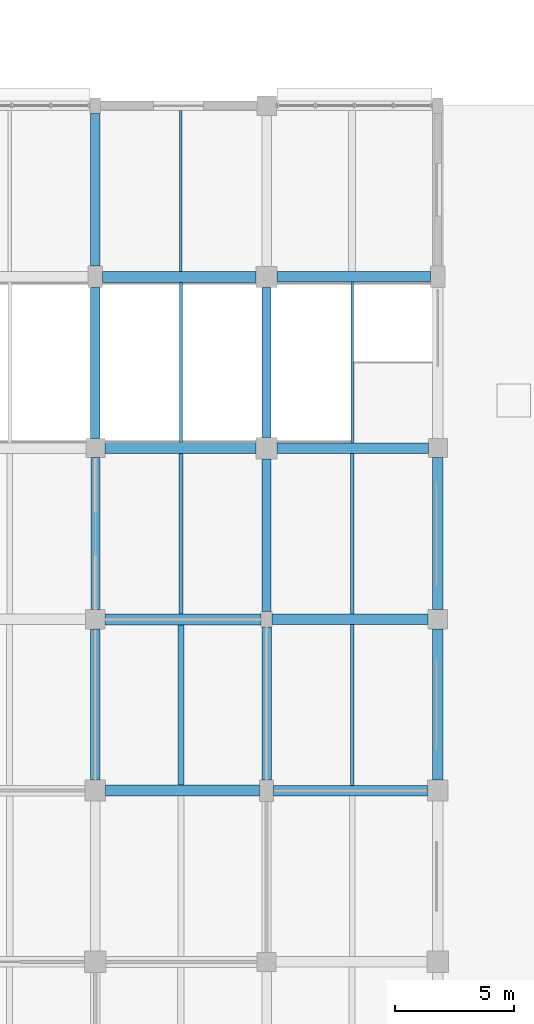
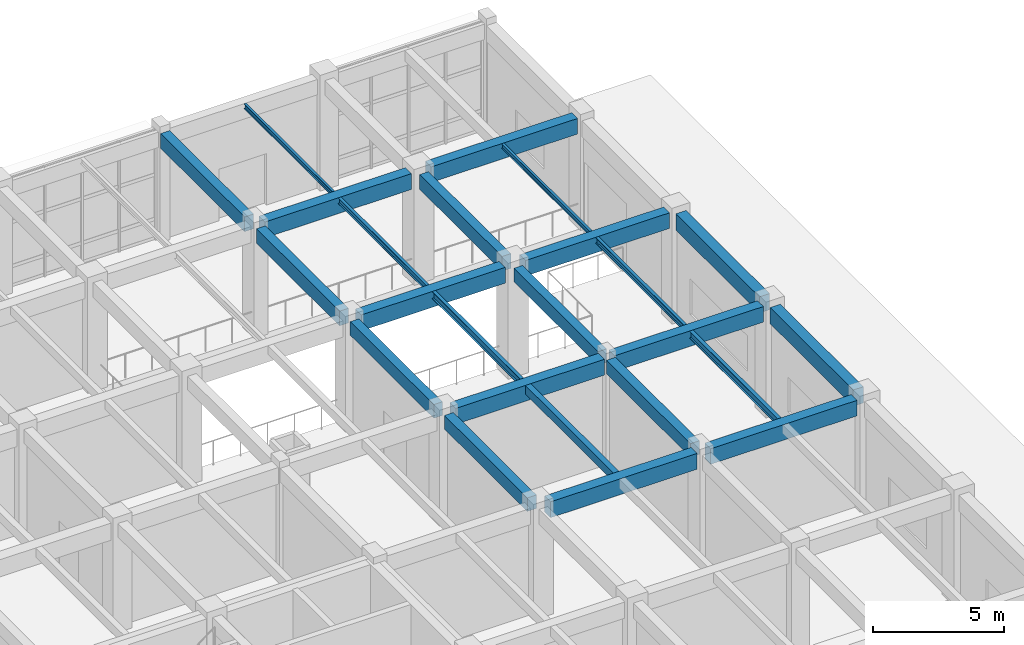
# One storey, part 109 of 160: 24 beams.
"""IFC4 building model written with IfcOpenShell, lengths in metres."""

from ifc_helpers import new_model, si_unit, direction, frame, origin, origin_2d, place, context, subcontext, project, spatial, rectangle, i_section, extrude, material, material_profile, profile_set, type_object, element, save


model = new_model("IFC4")

# Units and contexts
model_context = context("Model", 3, precision=1e-05, world=origin(), true_north=direction((0.0, 1.0)))
body_context = subcontext(model_context, "Body", "Model", "MODEL_VIEW")
ifc_project = project(units=[si_unit("LENGTHUNIT", "METRE"), si_unit("AREAUNIT", "SQUARE_METRE"), si_unit("VOLUMEUNIT", "CUBIC_METRE"), si_unit("PLANEANGLEUNIT", "RADIAN"), si_unit("MASSUNIT", "GRAM", prefix="KILO")], contexts=[model_context])

# Site, building, storey
site_placement = place(None, origin())
site = spatial("IfcSite", under=ifc_project, at=site_placement, CompositionType="ELEMENT")
building_placement = place(site_placement, origin())
building = spatial("IfcBuilding", under=site, at=building_placement, Name="Thalmaran Polytechnic", CompositionType="ELEMENT")
storey_placement = place(building_placement, origin())
storey = spatial("IfcBuildingStorey", under=building, at=storey_placement, Name="L00", CompositionType="ELEMENT", Elevation=0.0)

# Beams
ifc_material_1 = material(Name="Concrete C40/50", Category="concrete")
ifc_material_profile_1 = material_profile(ifc_material_1, rectangle(XDim=0.449951171875, YDim=0.72509765625, at=origin_2d()), Name="RC 450x725")
ifc_profile_set_1 = profile_set([ifc_material_profile_1], Name="Concrete C40/50")
beam_type_1 = type_object("IfcBeamType", Name="BM-RC04", PredefinedType="BEAM", material=ifc_profile_set_1)
beam_1_placement = place(storey_placement, frame((165.89990234375, 93.60009765625, 4.7275390625), z_axis=(1.0, 0.0, 0.0), x_axis=(0.0, 1.0, 0.0)))
element("IfcBeam", 1, at=beam_1_placement, inside=storey, type_object=beam_type_1, Name="Grid Beam B04 L00 X(23,13)", PredefinedType="BEAM", context=body_context, shape_type="SweptSolid", body=[
    extrude(rectangle(XDim=0.449951171875, YDim=0.72509765625, at=origin_2d()), origin(), (0.0, 0.0, 1.0), 6.460205078125),
])
beam_2_placement = place(storey_placement, frame((165.824951171875, 100.800048828125, 4.7275390625), z_axis=(1.0, 0.0, 0.0), x_axis=(0.0, 1.0, 0.0)))
element("IfcBeam", 2, at=beam_2_placement, inside=storey, type_object=beam_type_1, Name="Grid Beam B04 L00 X(23,14)", PredefinedType="BEAM", context=body_context, shape_type="SweptSolid", body=[
    extrude(rectangle(XDim=0.449951171875, YDim=0.72509765625, at=origin_2d()), origin(), (0.0, 0.0, 1.0), 6.56494140625),
])
beam_3_placement = place(storey_placement, frame((166.050048828125, 108.0, 4.7275390625), z_axis=(1.0, 0.0, 0.0), x_axis=(0.0, 1.0, 0.0)))
element("IfcBeam", 3, at=beam_3_placement, inside=storey, type_object=beam_type_1, Name="Grid Beam B04 L00 X(23,15)", PredefinedType="BEAM", context=body_context, shape_type="SweptSolid", body=[
    extrude(rectangle(XDim=0.449951171875, YDim=0.72509765625, at=origin_2d()), origin(), (0.0, 0.0, 1.0), 6.349853515625),
])
beam_4_placement = place(storey_placement, frame((166.0400390625, 115.199951171875, 4.7275390625), z_axis=(1.0, 0.0, 0.0), x_axis=(0.0, 1.0, 0.0)))
element("IfcBeam", 4, at=beam_4_placement, inside=storey, type_object=beam_type_1, Name="Grid Beam B04 L00 X(23,16)", PredefinedType="BEAM", context=body_context, shape_type="SweptSolid", body=[
    extrude(rectangle(XDim=0.449951171875, YDim=0.72509765625, at=origin_2d()), origin(), (0.0, 0.0, 1.0), 6.4599609375),
])
ifc_material_profile_2 = material_profile(ifc_material_1, rectangle(XDim=0.39990234375, YDim=0.6298828125, at=origin_2d()), Name="RC 400x630")
ifc_profile_set_2 = profile_set([ifc_material_profile_2], Name="Concrete C40/50")
beam_type_2 = type_object("IfcBeamType", Name="BM-RC07", PredefinedType="BEAM", material=ifc_profile_set_2)
beam_5_placement = place(storey_placement, frame((158.39990234375, 94.0400390625, 4.77490234375), z_axis=(0.0, 1.0, 0.0), x_axis=(-1.0, 0.0, 0.0)))
element("IfcBeam", 5, at=beam_5_placement, inside=storey, type_object=beam_type_2, Name="Grid Beam B07 L00 Y(22,13)", PredefinedType="BEAM", context=body_context, shape_type="SweptSolid", body=[
    extrude(rectangle(XDim=0.39990234375, YDim=0.6298828125, at=origin_2d()), origin(), (0.0, 0.0, 1.0), 6.349853515625),
])
beam_6_placement = place(storey_placement, frame((165.60009765625, 94.050048828125, 4.77490234375), z_axis=(0.0, 1.0, 0.0), x_axis=(-1.0, 0.0, 0.0)))
element("IfcBeam", 6, at=beam_6_placement, inside=storey, type_object=beam_type_2, Name="Grid Beam B07 L00 Y(23,13)", PredefinedType="BEAM", context=body_context, shape_type="SweptSolid", body=[
    extrude(rectangle(XDim=0.39990234375, YDim=0.6298828125, at=origin_2d()), origin(), (0.0, 0.0, 1.0), 6.425048828125),
])
ifc_material_profile_3 = material_profile(ifc_material_1, rectangle(XDim=0.389892578125, YDim=0.68505859375, at=origin_2d()), Name="RC 390x685")
ifc_profile_set_3 = profile_set([ifc_material_profile_3], Name="Concrete C40/50")
beam_type_3 = type_object("IfcBeamType", Name="BM-RC08", PredefinedType="BEAM", material=ifc_profile_set_3)
beam_7_placement = place(storey_placement, frame((158.39990234375, 108.39990234375, 4.74755859375), z_axis=(0.0, 1.0, 0.0), x_axis=(-1.0, 0.0, 0.0)))
element("IfcBeam", 7, at=beam_7_placement, inside=storey, type_object=beam_type_3, Name="Grid Beam B08 L00 Y(22,15)", PredefinedType="BEAM", context=body_context, shape_type="SweptSolid", body=[
    extrude(rectangle(XDim=0.389892578125, YDim=0.68505859375, at=origin_2d()), origin(), (0.0, 0.0, 1.0), 6.35009765625),
])
beam_8_placement = place(storey_placement, frame((165.60009765625, 108.449951171875, 4.74755859375), z_axis=(0.0, 1.0, 0.0), x_axis=(-1.0, 0.0, 0.0)))
element("IfcBeam", 8, at=beam_8_placement, inside=storey, type_object=beam_type_3, Name="Grid Beam B08 L00 Y(23,15)", PredefinedType="BEAM", context=body_context, shape_type="SweptSolid", body=[
    extrude(rectangle(XDim=0.389892578125, YDim=0.68505859375, at=origin_2d()), origin(), (0.0, 0.0, 1.0), 6.31005859375),
])
ifc_material_2 = material(Name="Steel S355", Category="steel")
ifc_material_profile_4 = material_profile(ifc_material_2, i_section(OverallWidth=0.159912109375, OverallDepth=0.330078125, WebThickness=0.007568359375, FlangeThickness=0.011474609375, at=origin_2d()), Name="IPE 330")
ifc_profile_set_4 = profile_set([ifc_material_profile_4], Name="Steel S355")
beam_type_4 = type_object("IfcBeamType", Name="BM-SJ02", PredefinedType="JOIST", material=ifc_profile_set_4)
beam_9_placement = place(storey_placement, frame((162.0, 101.030029296875, 4.925048828125), z_axis=(0.0, 1.0, 0.0), x_axis=(-1.0, 0.0, 0.0)))
element("IfcBeam", 9, at=beam_9_placement, inside=storey, type_object=beam_type_4, Name="Secondary Floor Rib SJ02 L00 (22,14)", PredefinedType="JOIST", context=body_context, shape_type="SweptSolid", body=[
    extrude(i_section(OverallWidth=0.159912109375, OverallDepth=0.330078125, WebThickness=0.007568359375, FlangeThickness=0.011474609375, at=origin_2d()), origin(), (0.0, 0.0, 1.0), 6.739990234375),
])
beam_10_placement = place(storey_placement, frame((169.199951171875, 93.824951171875, 4.925048828125), z_axis=(0.0, 1.0, 0.0), x_axis=(-1.0, 0.0, 0.0)))
element("IfcBeam", 10, at=beam_10_placement, inside=storey, type_object=beam_type_4, Name="Secondary Floor Rib SJ02 L00 (23,13)", PredefinedType="JOIST", context=body_context, shape_type="SweptSolid", body=[
    extrude(i_section(OverallWidth=0.159912109375, OverallDepth=0.330078125, WebThickness=0.007568359375, FlangeThickness=0.011474609375, at=origin_2d()), origin(), (0.0, 0.0, 1.0), 6.75),
])
ifc_material_profile_5 = material_profile(ifc_material_2, i_section(OverallWidth=0.135009765625, OverallDepth=0.27001953125, WebThickness=0.006591796875, FlangeThickness=0.01025390625, at=origin_2d()), Name="IPE 270")
ifc_profile_set_5 = profile_set([ifc_material_profile_5], Name="Steel S355")
beam_type_5 = type_object("IfcBeamType", Name="BM-SJ03", PredefinedType="JOIST", material=ifc_profile_set_5)
beam_11_placement = place(storey_placement, frame((162.0, 108.22998046875, 4.955078125), z_axis=(0.0, 1.0, 0.0), x_axis=(-1.0, 0.0, 0.0)))
element("IfcBeam", 11, at=beam_11_placement, inside=storey, type_object=beam_type_5, Name="Secondary Floor Rib SJ03 L00 (22,15)", PredefinedType="JOIST", context=body_context, shape_type="SweptSolid", body=[
    extrude(i_section(OverallWidth=0.135009765625, OverallDepth=0.27001953125, WebThickness=0.006591796875, FlangeThickness=0.01025390625, at=origin_2d()), origin(), (0.0, 0.0, 1.0), 6.739990234375),
])
beam_12_placement = place(storey_placement, frame((169.199951171875, 101.02490234375, 4.955078125), z_axis=(0.0, 1.0, 0.0), x_axis=(-1.0, 0.0, 0.0)))
element("IfcBeam", 12, at=beam_12_placement, inside=storey, type_object=beam_type_5, Name="Secondary Floor Rib SJ03 L00 (23,14)", PredefinedType="JOIST", context=body_context, shape_type="SweptSolid", body=[
    extrude(i_section(OverallWidth=0.135009765625, OverallDepth=0.27001953125, WebThickness=0.006591796875, FlangeThickness=0.01025390625, at=origin_2d()), origin(), (0.0, 0.0, 1.0), 6.75),
])
ifc_material_profile_6 = material_profile(ifc_material_2, i_section(OverallWidth=0.110107421875, OverallDepth=0.219970703125, WebThickness=0.005859375, FlangeThickness=0.00927734375, at=origin_2d()), Name="IPE 220")
ifc_profile_set_6 = profile_set([ifc_material_profile_6], Name="Steel S355")
beam_type_6 = type_object("IfcBeamType", Name="BM-SJ04", PredefinedType="JOIST", material=ifc_profile_set_6)
beam_13_placement = place(storey_placement, frame((162.0, 115.429931640625, 4.97998046875), z_axis=(0.0, 1.0, 0.0), x_axis=(-1.0, 0.0, 0.0)))
element("IfcBeam", 13, at=beam_13_placement, inside=storey, type_object=beam_type_6, Name="Secondary Floor Rib SJ04 L00 (22,16)", PredefinedType="JOIST", context=body_context, shape_type="SweptSolid", body=[
    extrude(i_section(OverallWidth=0.110107421875, OverallDepth=0.219970703125, WebThickness=0.005859375, FlangeThickness=0.00927734375, at=origin_2d()), origin(), (0.0, 0.0, 1.0), 6.77001953125),
])
beam_14_placement = place(storey_placement, frame((169.199951171875, 108.22509765625, 4.97998046875), z_axis=(0.0, 1.0, 0.0), x_axis=(-1.0, 0.0, 0.0)))
element("IfcBeam", 14, at=beam_14_placement, inside=storey, type_object=beam_type_6, Name="Secondary Floor Rib SJ04 L00 (23,15)", PredefinedType="JOIST", context=body_context, shape_type="SweptSolid", body=[
    extrude(i_section(OverallWidth=0.110107421875, OverallDepth=0.219970703125, WebThickness=0.005859375, FlangeThickness=0.00927734375, at=origin_2d()), origin(), (0.0, 0.0, 1.0), 6.75),
])
ifc_material_profile_7 = material_profile(ifc_material_1, rectangle(XDim=0.449951171875, YDim=0.7548828125, at=origin_2d()), Name="RC 450x755")
ifc_profile_set_7 = profile_set([ifc_material_profile_7], Name="Concrete C40/50")
beam_type_7 = type_object("IfcBeamType", Name="BM-SP02", PredefinedType="SPANDREL", material=ifc_profile_set_7)
beam_15_placement = place(storey_placement, frame((172.800048828125, 94.0400390625, 4.71240234375), z_axis=(0.0, 1.0, 0.0), x_axis=(-1.0, 0.0, 0.0)))
element("IfcBeam", 15, at=beam_15_placement, inside=storey, type_object=beam_type_7, Name="Grid Beam SP02 L00 Y(24,13)", PredefinedType="SPANDREL", context=body_context, shape_type="SweptSolid", body=[
    extrude(rectangle(XDim=0.449951171875, YDim=0.7548828125, at=origin_2d()), origin(), (0.0, 0.0, 1.0), 6.349853515625),
])
beam_16_placement = place(storey_placement, frame((172.800048828125, 101.2099609375, 4.71240234375), z_axis=(0.0, 1.0, 0.0), x_axis=(-1.0, 0.0, 0.0)))
element("IfcBeam", 16, at=beam_16_placement, inside=storey, type_object=beam_type_7, Name="Grid Beam SP02 L00 Y(24,14)", PredefinedType="SPANDREL", context=body_context, shape_type="SweptSolid", body=[
    extrude(rectangle(XDim=0.449951171875, YDim=0.7548828125, at=origin_2d()), origin(), (0.0, 0.0, 1.0), 6.39013671875),
])
ifc_material_profile_8 = material_profile(ifc_material_1, rectangle(XDim=0.4599609375, YDim=0.739990234375, at=origin_2d()), Name="RC 460x740")
ifc_profile_set_8 = profile_set([ifc_material_profile_8], Name="Concrete C40/50")
beam_type_8 = type_object("IfcBeamType", Name="BM-ZB02", PredefinedType="BEAM", material=ifc_profile_set_8)
beam_17_placement = place(storey_placement, frame((158.840087890625, 93.60009765625, 4.719970703125), z_axis=(1.0, 0.0, 0.0), x_axis=(0.0, 1.0, 0.0)))
element("IfcBeam", 17, at=beam_17_placement, inside=storey, type_object=beam_type_8, Name="Grid Beam ZB02 L00 X(22,13)", PredefinedType="BEAM", context=body_context, shape_type="SweptSolid", body=[
    extrude(rectangle(XDim=0.4599609375, YDim=0.739990234375, at=origin_2d()), origin(), (0.0, 0.0, 1.0), 6.4599609375),
])
beam_18_placement = place(storey_placement, frame((158.81005859375, 100.800048828125, 4.719970703125), z_axis=(1.0, 0.0, 0.0), x_axis=(0.0, 1.0, 0.0)))
element("IfcBeam", 18, at=beam_18_placement, inside=storey, type_object=beam_type_8, Name="Grid Beam ZB02 L00 X(22,14)", PredefinedType="BEAM", context=body_context, shape_type="SweptSolid", body=[
    extrude(rectangle(XDim=0.4599609375, YDim=0.739990234375, at=origin_2d()), origin(), (0.0, 0.0, 1.0), 6.56494140625),
])
beam_19_placement = place(storey_placement, frame((158.800048828125, 108.0, 4.719970703125), z_axis=(1.0, 0.0, 0.0), x_axis=(0.0, 1.0, 0.0)))
element("IfcBeam", 19, at=beam_19_placement, inside=storey, type_object=beam_type_8, Name="Grid Beam ZB02 L00 X(22,15)", PredefinedType="BEAM", context=body_context, shape_type="SweptSolid", body=[
    extrude(rectangle(XDim=0.4599609375, YDim=0.739990234375, at=origin_2d()), origin(), (0.0, 0.0, 1.0), 6.349853515625),
])
beam_20_placement = place(storey_placement, frame((158.699951171875, 115.199951171875, 4.719970703125), z_axis=(1.0, 0.0, 0.0), x_axis=(0.0, 1.0, 0.0)))
element("IfcBeam", 20, at=beam_20_placement, inside=storey, type_object=beam_type_8, Name="Grid Beam ZB02 L00 X(22,16)", PredefinedType="BEAM", context=body_context, shape_type="SweptSolid", body=[
    extrude(rectangle(XDim=0.4599609375, YDim=0.739990234375, at=origin_2d()), origin(), (0.0, 0.0, 1.0), 6.4599609375),
])
ifc_material_profile_9 = material_profile(ifc_material_1, rectangle(XDim=0.3798828125, YDim=0.635009765625, at=origin_2d()), Name="RC 380x635")
ifc_profile_set_9 = profile_set([ifc_material_profile_9], Name="Concrete C40/50")
beam_type_9 = type_object("IfcBeamType", Name="BM-ZB06", PredefinedType="BEAM", material=ifc_profile_set_9)
beam_21_placement = place(storey_placement, frame((158.39990234375, 101.2099609375, 4.7724609375), z_axis=(0.0, 1.0, 0.0), x_axis=(-1.0, 0.0, 0.0)))
element("IfcBeam", 21, at=beam_21_placement, inside=storey, type_object=beam_type_9, Name="Grid Beam ZB06 L00 Y(22,14)", PredefinedType="BEAM", context=body_context, shape_type="SweptSolid", body=[
    extrude(rectangle(XDim=0.3798828125, YDim=0.635009765625, at=origin_2d()), origin(), (0.0, 0.0, 1.0), 6.39013671875),
])
beam_22_placement = place(storey_placement, frame((165.60009765625, 101.125, 4.7724609375), z_axis=(0.0, 1.0, 0.0), x_axis=(-1.0, 0.0, 0.0)))
element("IfcBeam", 22, at=beam_22_placement, inside=storey, type_object=beam_type_9, Name="Grid Beam ZB06 L00 Y(23,14)", PredefinedType="BEAM", context=body_context, shape_type="SweptSolid", body=[
    extrude(rectangle(XDim=0.3798828125, YDim=0.635009765625, at=origin_2d()), origin(), (0.0, 0.0, 1.0), 6.425048828125),
])
ifc_material_profile_10 = material_profile(ifc_material_1, rectangle(XDim=0.39990234375, YDim=0.68505859375, at=origin_2d()), Name="RC 400x685")
ifc_profile_set_10 = profile_set([ifc_material_profile_10], Name="Concrete C40/50")
beam_type_10 = type_object("IfcBeamType", Name="BM-ZB07", PredefinedType="BEAM", material=ifc_profile_set_10)
beam_23_placement = place(storey_placement, frame((158.39990234375, 115.64990234375, 4.74755859375), z_axis=(0.0, 1.0, 0.0), x_axis=(-1.0, 0.0, 0.0)))
element("IfcBeam", 23, at=beam_23_placement, inside=storey, type_object=beam_type_10, Name="Grid Beam ZB07 L00 Y(22,16)", PredefinedType="BEAM", context=body_context, shape_type="SweptSolid", body=[
    extrude(rectangle(XDim=0.39990234375, YDim=0.68505859375, at=origin_2d()), origin(), (0.0, 0.0, 1.0), 6.425048828125),
])
ifc_material_profile_11 = material_profile(ifc_material_1, rectangle(XDim=0.239990234375, YDim=0.39990234375, at=origin_2d()), Name="RC 240x400")
ifc_profile_set_11 = profile_set([ifc_material_profile_11], Name="Concrete C40/50")
beam_type_11 = type_object("IfcBeamType", Name="BM-ZJ04", PredefinedType="JOIST", material=ifc_profile_set_11)
beam_24_placement = place(storey_placement, frame((162.0, 93.830078125, 4.889892578125), z_axis=(0.0, 1.0, 0.0), x_axis=(-1.0, 0.0, 0.0)))
element("IfcBeam", 24, at=beam_24_placement, inside=storey, type_object=beam_type_11, Name="Secondary Floor Rib ZJ04 L00 (22,13)", PredefinedType="JOIST", context=body_context, shape_type="SweptSolid", body=[
    extrude(rectangle(XDim=0.239990234375, YDim=0.39990234375, at=origin_2d()), origin(), (0.0, 0.0, 1.0), 6.739990234375),
])

save(model, "model.ifc")
